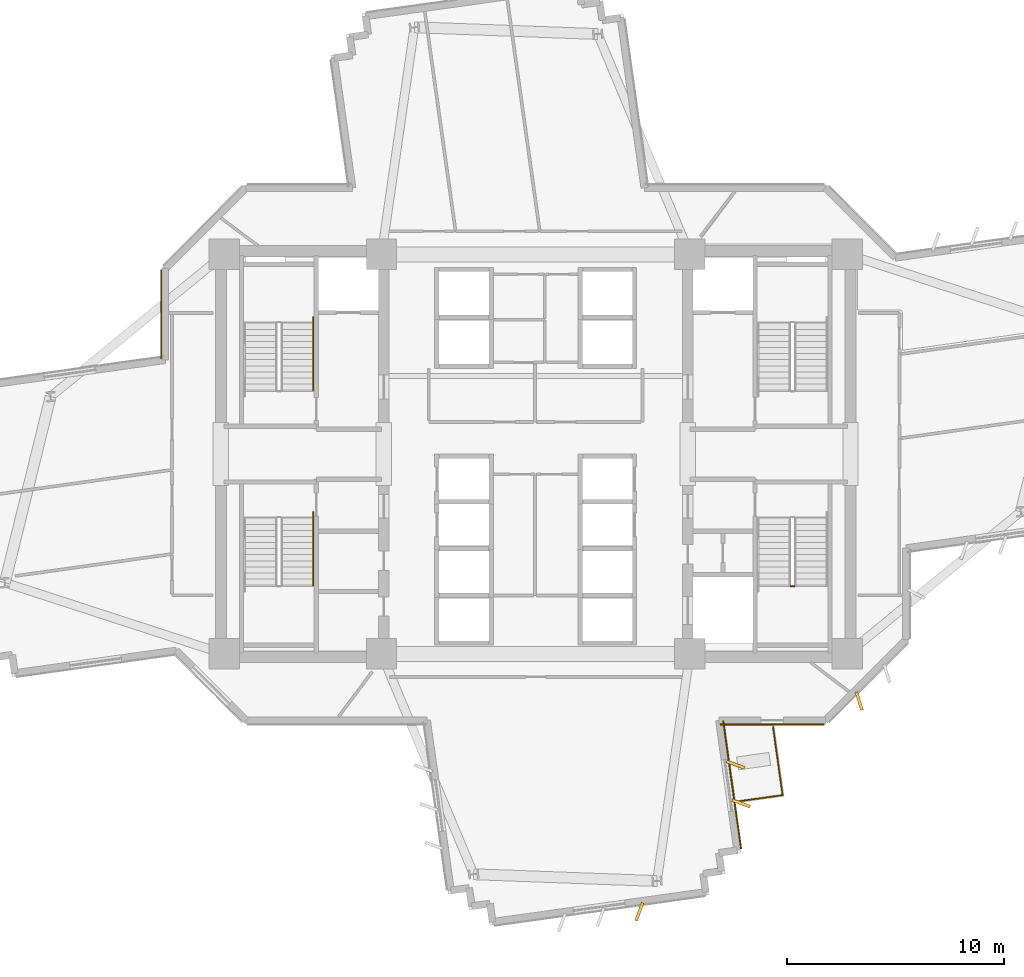
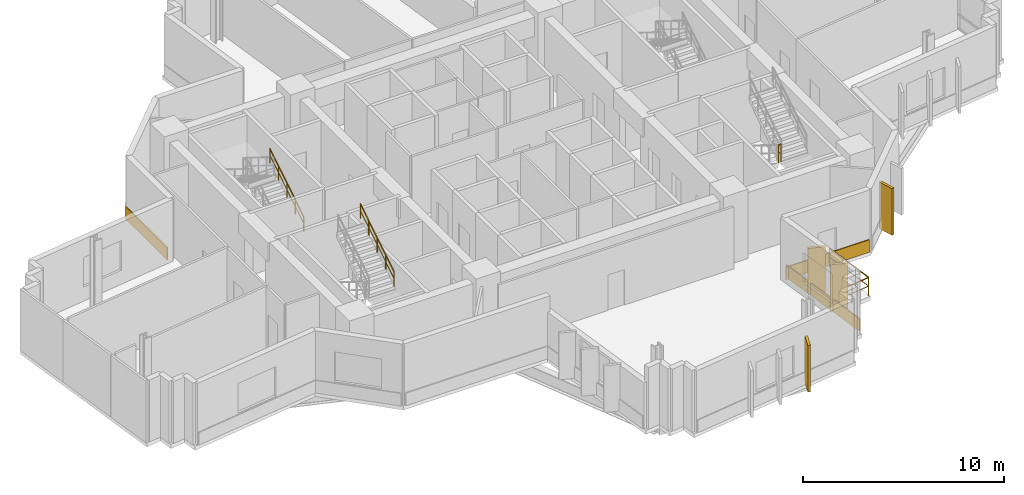
# One storey, part 12 of 14: 7 coverings, 5 railings.
"""IFC4 building model written with IfcOpenShell, lengths in metres."""

import ifcopenshell
import ifcopenshell.guid

model = None  # the IFC model being written
_history = None  # IfcOwnerHistory: only IFC2X3 demands one
_inside = {}  # id of a spatial element -> (the spatial element, [elements in it])
_under = {}  # id of a project, library or spatial element -> (it, [spatial elements below it])
_declared = {}  # id of a project -> (the project, [libraries it declares])
_typed = {}  # id of a type object -> (the type object, [elements of that type])
_made_of = {}  # id of a material, layer set ... -> (it, [elements and type objects made of it])


def new_model(schema):
    """Start an empty IFC model of exactly this schema.

    Asked for "IFC4X3", IfcOpenShell would pick the latest addendum, in which some entities
    have other attributes; the version numbers below select the first issue.
    IFC2X3 requires an IfcOwnerHistory on every rooted entity: one is made here for all.
    """
    global model, _history
    if schema == "IFC4X3":
        model = ifcopenshell.file(schema_version=(4, 3, 0, 0))
    else:
        model = ifcopenshell.file(schema=schema)
    _inside.clear()
    _under.clear()
    _declared.clear()
    _typed.clear()
    _made_of.clear()
    _history = None
    if model.schema == "IFC2X3":
        org = make("IfcOrganization", Name="unknown")
        user = make(
            "IfcPersonAndOrganization",
            ThePerson=make("IfcPerson", FamilyName="unknown"),
            TheOrganization=org,
        )
        app = make(
            "IfcApplication",
            ApplicationDeveloper=org,
            Version="unknown",
            ApplicationFullName="unknown",
            ApplicationIdentifier="unknown",
        )
        _history = make(
            "IfcOwnerHistory",
            OwningUser=user,
            OwningApplication=app,
            ChangeAction="ADDED",
            CreationDate=0,
        )
    return model


def make(cls, **values):
    """One entity of the class cls with the attributes given. An attribute that is None is left unset."""
    return model.create_entity(
        cls, **{name: value for name, value in values.items() if value is not None}
    )


def rooted(cls, **values):
    """An entity with a GlobalId (a new one), such as an element, a storey or a relation."""
    return make(cls, GlobalId=ifcopenshell.guid.new(), OwnerHistory=_history, **values)


def si_unit(unit_type, name, prefix=None):
    """IfcSIUnit, for example si_unit("LENGTHUNIT", "METRE", prefix="MILLI")."""
    return make("IfcSIUnit", UnitType=unit_type, Prefix=prefix, Name=name)


def assignment(units):
    """IfcUnitAssignment: the units of a project."""
    return None if units is None else make("IfcUnitAssignment", Units=units)


def point(xyz):
    """IfcCartesianPoint."""
    return None if xyz is None else make("IfcCartesianPoint", Coordinates=xyz)


def direction(xyz):
    """IfcDirection."""
    return None if xyz is None else make("IfcDirection", DirectionRatios=xyz)


def frame(location, z_axis=None, x_axis=None):
    """IfcAxis2Placement3D, a coordinate frame: its origin and axes. An axis left out is left unset."""
    return make(
        "IfcAxis2Placement3D",
        Location=point(location),
        Axis=direction(z_axis),
        RefDirection=direction(x_axis),
    )


def frame_2d(location, x_axis=None):
    """IfcAxis2Placement2D, a coordinate frame in the plane: its origin and x axis."""
    return make(
        "IfcAxis2Placement2D", Location=point(location), RefDirection=direction(x_axis)
    )


def origin():
    """The frame at (0, 0, 0) with its axes left unset."""
    return frame((0.0, 0.0, 0.0))


def origin_2d():
    """The frame at (0, 0) in the plane with its x axis left unset."""
    return frame_2d((0.0, 0.0))


def place(relative_to, where):
    """IfcLocalPlacement: puts the frame where relative to a parent placement (None: the world)."""
    return make(
        "IfcLocalPlacement", PlacementRelTo=relative_to, RelativePlacement=where
    )


def context(
    kind, dimensions, precision=None, world=None, true_north=None, identifier=None
):
    """IfcGeometricRepresentationContext, for example the 3D "Model" context."""
    return make(
        "IfcGeometricRepresentationContext",
        ContextIdentifier=identifier,
        ContextType=kind,
        CoordinateSpaceDimension=dimensions,
        Precision=precision,
        WorldCoordinateSystem=world,
        TrueNorth=true_north,
    )


def subcontext(parent, identifier, kind, view, scale=None):
    """IfcGeometricRepresentationSubContext, for example "Body" below "Model"."""
    return make(
        "IfcGeometricRepresentationSubContext",
        ContextIdentifier=identifier,
        ContextType=kind,
        ParentContext=parent,
        TargetScale=scale,
        TargetView=view,
    )


def project(units=None, contexts=None):
    """IfcProject with its units and contexts."""
    return rooted(
        "IfcProject",
        Name="project",
        RepresentationContexts=contexts,
        UnitsInContext=assignment(units),
    )


def spatial(cls, under=None, at=None, **own):
    """A site, building, storey or space (cls), placed at a placement, below another one or the project."""
    s = rooted(cls, ObjectPlacement=at, **own)
    if under is not None:
        _under.setdefault(under.id(), (under, []))[1].append(s)
    return s


def profile(cls, at=None, kind="AREA", **sizes):
    """A parametric profile (cls). Its sizes go by their IFC names, for example OverallWidth=200.0."""
    return make(cls, ProfileType=kind, Position=at, **sizes)


def rectangle(**sizes):
    """IfcRectangleProfileDef."""
    return profile("IfcRectangleProfileDef", **sizes)


def extrude(swept, where, along, depth):
    """IfcExtrudedAreaSolid: the profile swept, set in the frame where, extruded along a direction by depth."""
    return make(
        "IfcExtrudedAreaSolid",
        SweptArea=swept,
        Position=where,
        ExtrudedDirection=direction(along),
        Depth=depth,
    )


def shape(context_of_items, identifier, shape_type, items):
    """IfcShapeRepresentation: the items that make up one representation, for example the "Body"."""
    return make(
        "IfcShapeRepresentation",
        ContextOfItems=context_of_items,
        RepresentationIdentifier=identifier,
        RepresentationType=shape_type,
        Items=items,
    )


def source(mapping_origin, context_of_items, identifier, shape_type, items):
    """IfcRepresentationMap: a shape defined once, which mapped items show again and again."""
    return make(
        "IfcRepresentationMap",
        MappingOrigin=mapping_origin,
        MappedRepresentation=shape(context_of_items, identifier, shape_type, items),
    )


def transform(
    local_origin,
    x_axis=None,
    y_axis=None,
    z_axis=None,
    scale=None,
    scale2=None,
    scale3=None,
    uniform=True,
):
    """IfcCartesianTransformationOperator3D, or its non-uniform kind. x_axis, y_axis, z_axis: its Axis1, 2, 3."""
    if uniform:
        return make(
            "IfcCartesianTransformationOperator3D",
            Axis1=direction(x_axis),
            Axis2=direction(y_axis),
            LocalOrigin=point(local_origin),
            Scale=scale,
            Axis3=direction(z_axis),
        )
    return make(
        "IfcCartesianTransformationOperator3DnonUniform",
        Axis1=direction(x_axis),
        Axis2=direction(y_axis),
        LocalOrigin=point(local_origin),
        Scale=scale,
        Axis3=direction(z_axis),
        Scale2=scale2,
        Scale3=scale3,
    )


def mapped(mapping_source, mapping_target):
    """IfcMappedItem: shows the shape of a source again, moved by a transform."""
    return make(
        "IfcMappedItem", MappingSource=mapping_source, MappingTarget=mapping_target
    )


def material(Name=None, Category=None):
    """IfcMaterial."""
    return make("IfcMaterial", Name=Name, Category=Category)


def layer(
    of_material, thickness, ventilated=None, Name=None, Category=None, Priority=None
):
    """IfcMaterialLayer: one layer of a wall or slab, of a material (None: an air gap)."""
    return make(
        "IfcMaterialLayer",
        Material=of_material,
        LayerThickness=thickness,
        IsVentilated=ventilated,
        Name=Name,
        Category=Category,
        Priority=Priority,
    )


def layer_set(layers, Name=None):
    """IfcMaterialLayerSet."""
    return make("IfcMaterialLayerSet", MaterialLayers=layers, LayerSetName=Name)


def made_of(thing, what):
    """Note that an element or type object is made of a material, layer set ...; save() writes the relation."""
    if what is not None:
        _made_of.setdefault(what.id(), (what, []))[1].append(thing)
    return thing


def type_object(cls, material=None, **own):
    """A type object (cls), such as IfcWallType, which elements share."""
    return made_of(rooted(cls, **own), material)


def element(
    cls,
    number,
    at=None,
    inside=None,
    cuts=None,
    type_object=None,
    material=None,
    context=None,
    identifier="Body",
    shape_type=None,
    held_by="IfcProductDefinitionShape",
    body=None,
    shapes=None,
    **own,
):
    """One element of the class cls, such as IfcWall. Its Tag is "e" and its number.

    at: its placement. inside: the storey or other place that contains it. cuts: it is an
    opening in that element (IfcRelVoidsElement). A single representation is given by context,
    identifier, shape_type and body (its items); several are given by shapes. held_by: the class
    of the entity that holds the representations. save() writes the other relations.
    """
    e = rooted(cls, Tag="e%d" % number, ObjectPlacement=at, **own)
    if body is not None:
        shapes = [shape(context, identifier, shape_type, body)]
    if shapes is not None:
        e.Representation = make(held_by, Representations=shapes)
    if inside is not None:
        _inside.setdefault(inside.id(), (inside, []))[1].append(e)
    if cuts is not None:
        rooted(
            "IfcRelVoidsElement", RelatingBuildingElement=cuts, RelatedOpeningElement=e
        )
    if type_object is not None:
        _typed.setdefault(type_object.id(), (type_object, []))[1].append(e)
    return made_of(e, material)


def aggregate(whole, parts):
    """IfcRelAggregates: a whole, such as a stair, and the parts it consists of."""
    return rooted("IfcRelAggregates", RelatingObject=whole, RelatedObjects=parts)


def save(model, path):
    """Write the relations noted so far, then the file.

    IfcRelAggregates (storeys below a building ...), IfcRelContainedInSpatialStructure (elements
    in a storey), IfcRelDefinesByType, IfcRelAssociatesMaterial and IfcRelDeclares: one each for
    every whole, place, type object, material and project.
    """
    for whole, parts in _under.values():
        aggregate(whole, parts)
    for where, things in _inside.values():
        rooted(
            "IfcRelContainedInSpatialStructure",
            RelatedElements=things,
            RelatingStructure=where,
        )
    for kind, things in _typed.values():
        rooted("IfcRelDefinesByType", RelatedObjects=things, RelatingType=kind)
    for what, things in _made_of.values():
        rooted("IfcRelAssociatesMaterial", RelatedObjects=things, RelatingMaterial=what)
    for by, libraries in _declared.values():
        rooted("IfcRelDeclares", RelatingContext=by, RelatedDefinitions=libraries)
    model.write(path)


model = new_model("IFC4")

# Units and contexts
model_context = context("Model", 3, precision=1e-05, world=origin(), true_north=direction((0.0, 1.0)))
body_context = subcontext(model_context, "Body", "Model", "MODEL_VIEW")
ifc_project = project(units=[si_unit("LENGTHUNIT", "METRE"), si_unit("AREAUNIT", "SQUARE_METRE"), si_unit("VOLUMEUNIT", "CUBIC_METRE"), si_unit("PLANEANGLEUNIT", "RADIAN"), si_unit("MASSUNIT", "GRAM", prefix="KILO")], contexts=[model_context])

# Site, building, storey
site_placement = place(None, origin())
site = spatial("IfcSite", under=ifc_project, at=site_placement, CompositionType="ELEMENT")
building_placement = place(site_placement, origin())
building = spatial("IfcBuilding", under=site, at=building_placement, Name="Zahravan Cultural Tower", CompositionType="ELEMENT")
storey_placement = place(building_placement, frame((0.0, 0.0, 121.5)))
storey = spatial("IfcBuildingStorey", under=building, at=storey_placement, Name="L27", CompositionType="ELEMENT", Elevation=121.5)

# Railings
ifc_material_1 = material(Name="Steel ASTM A572 Grade 50", Category="steel")
railing_type_1 = type_object("IfcRailingType", Name="RL-BAL-1150", PredefinedType="BALUSTRADE", material=ifc_material_1)
railing_1_placement = place(storey_placement, frame((47.3701171875, 11.29638671875, 0.0)))
element("IfcRailing", 1, at=railing_1_placement, inside=storey, type_object=railing_type_1, Name="L27 Edge Balustrade GRD-TR-L27-SE-01", PredefinedType="BALUSTRADE", context=body_context, shape_type="SweptSolid", body=[
    extrude(rectangle(XDim=0.05, YDim=0.05, at=origin_2d()), frame((0.0, 0.0, 1.125), z_axis=(-0.990318105925, -0.13881660231, 0.0), x_axis=(0.13881660231, -0.990318105925, 0.0)), (0.0, 0.0, 1.0), 2.099853515625),
    extrude(rectangle(XDim=0.032, YDim=0.032, at=origin_2d()), frame((0.0, 0.0, 0.597900390625), z_axis=(-0.990318105925, -0.13881660231, 0.0), x_axis=(0.13881660231, -0.990318105925, 0.0)), (0.0, 0.0, 1.0), 2.099853515625),
    extrude(rectangle(XDim=0.04, YDim=0.04, at=origin_2d()), origin(), (0.0, 0.0, 1.0), 1.14990234375),
    extrude(rectangle(XDim=0.04, YDim=0.04, at=origin_2d()), frame((-1.039794921875, -0.145751953125, 0.0)), (0.0, 0.0, 1.0), 1.14990234375),
    extrude(rectangle(XDim=0.04, YDim=0.04, at=origin_2d()), frame((-2.07958984375, -0.29150390625, 0.0)), (0.0, 0.0, 1.0), 1.14990234375),
])
railing_2_placement = place(storey_placement, frame((46.93212890625, 14.419921875, 0.0)))
element("IfcRailing", 2, at=railing_2_placement, inside=storey, type_object=railing_type_1, Name="L27 Edge Balustrade GRD-TR-L27-SE-02", PredefinedType="BALUSTRADE", context=body_context, shape_type="SweptSolid", body=[
    extrude(rectangle(XDim=0.05, YDim=0.05, at=origin_2d()), frame((0.0, 0.0, 1.125), z_axis=(0.138863443855, -0.990311538841, 0.0), x_axis=(0.990311538841, 0.138863443855, 0.0)), (0.0, 0.0, 1.0), 3.154052734375),
    extrude(rectangle(XDim=0.032, YDim=0.032, at=origin_2d()), frame((0.0, 0.0, 0.597900390625), z_axis=(0.138863443855, -0.990311538841, 0.0), x_axis=(0.990311538841, 0.138863443855, 0.0)), (0.0, 0.0, 1.0), 3.154052734375),
    extrude(rectangle(XDim=0.04, YDim=0.04, at=origin_2d()), origin(), (0.0, 0.0, 1.0), 1.14990234375),
    extrude(rectangle(XDim=0.04, YDim=0.04, at=origin_2d()), frame((0.14599609375, -1.041259765625, 0.0)), (0.0, 0.0, 1.0), 1.14990234375),
    extrude(rectangle(XDim=0.04, YDim=0.04, at=origin_2d()), frame((0.2919921875, -2.082275390625, 0.0)), (0.0, 0.0, 1.0), 1.14990234375),
    extrude(rectangle(XDim=0.04, YDim=0.04, at=origin_2d()), frame((0.43798828125, -3.12353515625, 0.0)), (0.0, 0.0, 1.0), 1.14990234375),
])
railing_type_2 = type_object("IfcRailingType", Name="RL-STAIR-GRD1150", PredefinedType="BALUSTRADE", material=ifc_material_1)
railing_3_placement = place(storey_placement, frame((47.75, 20.919921875, 2.10009765625)))
element("IfcRailing", 3, at=railing_3_placement, inside=storey, type_object=railing_type_2, Name="L27 ST-E2 stair guard 2", PredefinedType="BALUSTRADE", context=body_context, shape_type="SweptSolid", body=[
    extrude(rectangle(XDim=0.05, YDim=0.05, at=origin_2d()), frame((0.0, 0.0, 1.0751953125), z_axis=(1.0, 0.0, 0.0), x_axis=(0.0, 1.0, 0.0)), (0.0, 0.0, 1.0), 0.14990234375),
    extrude(rectangle(XDim=0.032, YDim=0.032, at=origin_2d()), frame((0.0, 0.0, 0.572021484375), z_axis=(1.0, 0.0, 0.0), x_axis=(0.0, 1.0, 0.0)), (0.0, 0.0, 1.0), 0.14990234375),
    extrude(rectangle(XDim=0.04, YDim=0.04, at=origin_2d()), origin(), (0.0, 0.0, 1.0), 1.10009765625),
    extrude(rectangle(XDim=0.04, YDim=0.04, at=origin_2d()), frame((0.14990234375, 0.0, 0.0)), (0.0, 0.0, 1.0), 1.10009765625),
])
railing_type_3 = type_object("IfcRailingType", Name="RL-STAIR-HR900", PredefinedType="HANDRAIL", material=ifc_material_1)
railing_4_placement = place(storey_placement, frame((25.75, 29.949951171875, 0.175048828125)))
element("IfcRailing", 4, at=railing_4_placement, inside=storey, type_object=railing_type_3, Name="L27 ST-W1 stair handrail 1", PredefinedType="HANDRAIL", context=body_context, shape_type="SweptSolid", body=[
    extrude(rectangle(XDim=0.05, YDim=0.05, at=origin_2d()), frame((0.0, 0.0, 0.875), z_axis=(0.0, 0.848022534174, 0.529960169762), x_axis=(-1.0, 0.0, 0.0)), (0.0, 0.0, 1.0), 3.96240234375),
    extrude(rectangle(XDim=0.032, YDim=0.032, at=origin_2d()), frame((0.0, 0.0, 0.468017578125), z_axis=(0.0, 0.848022534174, 0.529960169762), x_axis=(-1.0, 0.0, 0.0)), (0.0, 0.0, 1.0), 3.96240234375),
    extrude(rectangle(XDim=0.04, YDim=0.04, at=origin_2d()), origin(), (0.0, 0.0, 1.0), 0.89990234375),
    extrude(rectangle(XDim=0.04, YDim=0.04, at=origin_2d()), frame((0.0, 0.840087890625, 0.52490234375)), (0.0, 0.0, 1.0), 0.89990234375),
    extrude(rectangle(XDim=0.04, YDim=0.04, at=origin_2d()), frame((0.0, 1.68017578125, 1.0498046875)), (0.0, 0.0, 1.0), 0.89990234375),
    extrude(rectangle(XDim=0.04, YDim=0.04, at=origin_2d()), frame((0.0, 2.52001953125, 1.574951171875)), (0.0, 0.0, 1.0), 0.89990234375),
    extrude(rectangle(XDim=0.04, YDim=0.04, at=origin_2d()), frame((0.0, 3.360107421875, 2.099853515625)), (0.0, 0.0, 1.0), 0.89990234375),
])
railing_5_placement = place(storey_placement, frame((25.75, 20.969970703125, 2.27490234375)))
element("IfcRailing", 5, at=railing_5_placement, inside=storey, type_object=railing_type_3, Name="L27 ST-W2 stair handrail 2", PredefinedType="HANDRAIL", context=body_context, shape_type="SweptSolid", body=[
    extrude(rectangle(XDim=0.05, YDim=0.05, at=origin_2d()), frame((0.0, 0.0, 0.875), z_axis=(0.0, 0.847994842521, 0.530004478338), x_axis=(-1.0, 0.0, 0.0)), (0.0, 0.0, 1.0), 3.96240234375),
    extrude(rectangle(XDim=0.032, YDim=0.032, at=origin_2d()), frame((0.0, 0.0, 0.468017578125), z_axis=(0.0, 0.847994842521, 0.530004478338), x_axis=(-1.0, 0.0, 0.0)), (0.0, 0.0, 1.0), 3.96240234375),
    extrude(rectangle(XDim=0.04, YDim=0.04, at=origin_2d()), origin(), (0.0, 0.0, 1.0), 0.89990234375),
    extrude(rectangle(XDim=0.04, YDim=0.04, at=origin_2d()), frame((0.0, 0.840087890625, 0.52490234375)), (0.0, 0.0, 1.0), 0.89990234375),
    extrude(rectangle(XDim=0.04, YDim=0.04, at=origin_2d()), frame((0.0, 1.68017578125, 1.050048828125)), (0.0, 0.0, 1.0), 0.89990234375),
    extrude(rectangle(XDim=0.04, YDim=0.04, at=origin_2d()), frame((0.0, 2.52001953125, 1.5751953125)), (0.0, 0.0, 1.0), 0.89990234375),
    extrude(rectangle(XDim=0.04, YDim=0.04, at=origin_2d()), frame((0.0, 3.360107421875, 2.10009765625)), (0.0, 0.0, 1.0), 0.89990234375),
])

# Coverings
ifc_material_2 = material(Name="Terracotta ceramic cladding", Category="masonry")
ifc_layer = layer(ifc_material_2, 0.06005859375)
ifc_layer_set = layer_set([ifc_layer], Name="Terracotta ceramic cladding")
covering_type = type_object("IfcCoveringType", Name="COV-CLAD-TC60", PredefinedType="CLADDING", material=ifc_layer_set)
shared_shape_1 = source(origin(), body_context, "Body", "SweptSolid", [
    extrude(rectangle(XDim=4.1083984375, YDim=0.06005859375, at=origin_2d()), origin(), (0.0, 0.0, 1.0), 0.760009765625),
])
covering_1_placement = place(storey_placement, frame((18.7548828125, 33.437744140625, 0.02001953125), z_axis=(0.0, 0.0, 1.0), x_axis=(0.0, 1.0, 0.0)))
element("IfcCovering", 6, at=covering_1_placement, inside=storey, type_object=covering_type, Name="L27 Terracotta Spandrel Cladding 37", PredefinedType="CLADDING", context=body_context, shape_type="MappedRepresentation", body=[
    mapped(shared_shape_1, transform((0.0, 0.0, 0.0), x_axis=(1.0, 0.0, 0.0), y_axis=(0.0, 1.0, 0.0), z_axis=(0.0, 0.0, 1.0), scale=1.0)),
])
shared_shape_2 = source(origin(), body_context, "Body", "SweptSolid", [
    extrude(rectangle(XDim=4.798095703125, YDim=0.06005859375, at=origin_2d()), origin(), (0.0, 0.0, 1.0), 0.760009765625),
])
covering_2_placement = place(storey_placement, frame((46.892822265625, 14.554931640625, 0.02001953125), z_axis=(0.0, 0.0, 1.0), x_axis=(-1.0, 0.0, 0.0)))
element("IfcCovering", 7, at=covering_2_placement, inside=storey, type_object=covering_type, Name="L27 Terracotta Spandrel Cladding 13", PredefinedType="CLADDING", context=body_context, shape_type="MappedRepresentation", body=[
    mapped(shared_shape_2, transform((0.0, 0.0, 0.0), x_axis=(1.0, 0.0, 0.0), y_axis=(0.0, 1.0, 0.0), z_axis=(0.0, 0.0, 1.0), scale=1.0)),
])
shared_shape_3 = source(origin(), body_context, "Body", "SweptSolid", [
    extrude(rectangle(XDim=5.9462890625, YDim=0.06005859375, at=origin_2d()), origin(), (0.0, 0.0, 1.0), 0.760009765625),
])
covering_3_placement = place(storey_placement, frame((45.046630859375, 11.771728515625, 0.02001953125), z_axis=(0.0, 0.0, 1.0), x_axis=(0.138827423723, -0.990316588987, 0.0)))
element("IfcCovering", 8, at=covering_3_placement, inside=storey, type_object=covering_type, Name="L27 Terracotta Spandrel Cladding 14", PredefinedType="CLADDING", context=body_context, shape_type="MappedRepresentation", body=[
    mapped(shared_shape_3, transform((0.0, 0.0, 0.0), x_axis=(1.0, 0.0, 0.0), y_axis=(0.0, 1.0, 0.0), z_axis=(0.0, 0.0, 1.0), scale=1.0)),
])
shared_shape_4 = source(origin(), body_context, "Body", "SweptSolid", [
    extrude(rectangle(XDim=0.8798828125, YDim=0.139892578125, at=origin_2d()), origin(), (0.0, 0.0, 1.0), 2.830078125),
])
for number, where, z_axis, x_axis, name in (
    (9, (50.89697265625, 15.63037109375, 0.050048828125), (0.0, 0.0, 1.0), (0.292371704723, -0.956304755963, 0.0), "L27 Herringbone Terracotta Fin 09"),
    (10, (45.2041015625, 12.70263671875, 0.050048828125), (0.0, 0.0, 1.0), (0.939573175987, -0.342348137086, 0.0), "L27 Herringbone Terracotta Fin 10"),
    (11, (45.453857421875, 10.919921875, 0.050048828125), (0.0, 0.0, 1.0), (0.939573175987, -0.342348137086, 0.0), "L27 Herringbone Terracotta Fin 11"),
    (12, (40.771484375, 5.928466796875, 0.050048828125), (0.0, 0.0, 1.0), (-0.342348137086, -0.939573175987, 0.0), "L27 Herringbone Terracotta Fin 12"),
):
    element("IfcCovering", number, at=place(storey_placement, frame(where, z_axis=z_axis, x_axis=x_axis)), inside=storey, type_object=covering_type, Name=name, PredefinedType="CLADDING", context=body_context, shape_type="MappedRepresentation", body=[
        mapped(shared_shape_4, transform((0.0, 0.0, 0.0), x_axis=(1.0, 0.0, 0.0), y_axis=(0.0, 1.0, 0.0), z_axis=(0.0, 0.0, 1.0), scale=1.0)),
    ])

save(model, "model.ifc")
